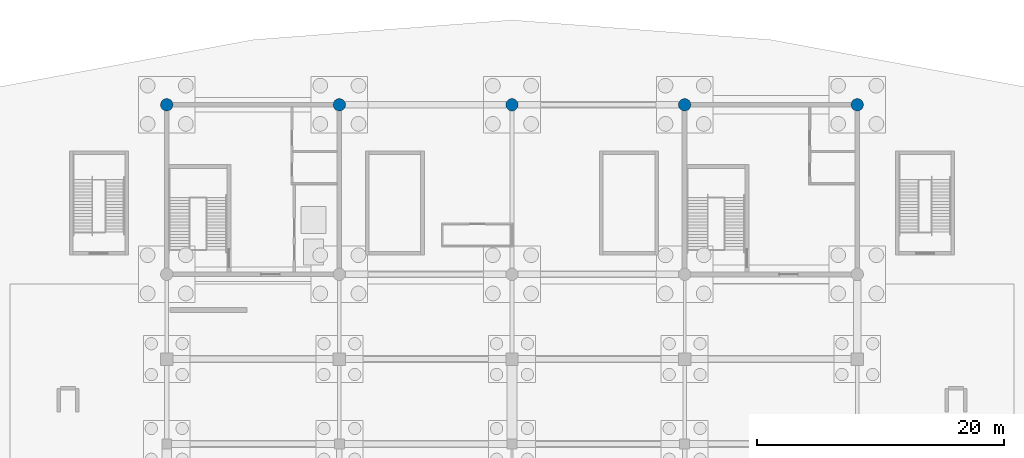
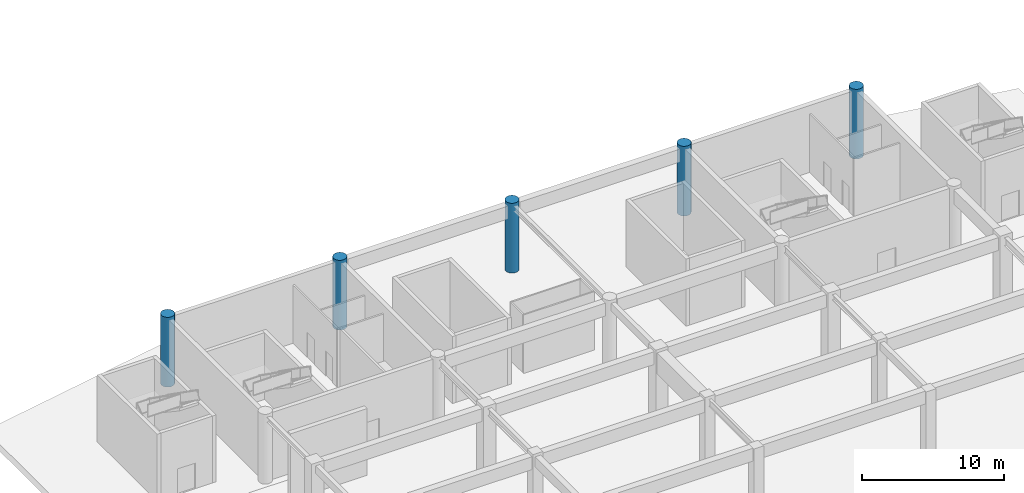
# One storey, part 26 of 62: 5 columns.
"""IFC4 building model written with IfcOpenShell, lengths in metres."""

from ifc_helpers import new_model, si_unit, direction, frame, origin, origin_2d, place, context, subcontext, project, spatial, circle, extrude, material, material_profile, profile_set, type_object, element, save


model = new_model("IFC4")

# Units and contexts
model_context = context("Model", 3, precision=1e-05, world=origin(), true_north=direction((0.0, 1.0)))
body_context = subcontext(model_context, "Body", "Model", "MODEL_VIEW")
ifc_project = project(units=[si_unit("LENGTHUNIT", "METRE"), si_unit("AREAUNIT", "SQUARE_METRE"), si_unit("VOLUMEUNIT", "CUBIC_METRE"), si_unit("PLANEANGLEUNIT", "RADIAN"), si_unit("MASSUNIT", "GRAM", prefix="KILO")], contexts=[model_context])

# Site, building, storey
site_placement = place(None, origin())
site = spatial("IfcSite", under=ifc_project, at=site_placement, CompositionType="ELEMENT")
building_placement = place(site_placement, origin())
building = spatial("IfcBuilding", under=site, at=building_placement, Name="Linyun Crest Stadium", CompositionType="ELEMENT")
storey_placement = place(building_placement, frame((0.0, 0.0, -6.0)))
storey = spatial("IfcBuildingStorey", under=building, at=storey_placement, Name="B1", CompositionType="ELEMENT", Elevation=-6.0)

# Columns
ifc_material = material(Name="Concrete C50", Category="concrete")
ifc_material_profile = material_profile(ifc_material, circle(Radius=0.5, at=origin_2d()), Name="RC D1000")
ifc_profile_set = profile_set([ifc_material_profile], Name="Concrete C50")
column_type = type_object("IfcColumnType", Name="C09", PredefinedType="COLUMN", material=ifc_profile_set)
for number, where, z_axis, x_axis, name in (
    (1, (-28.0, 105.25, 0.0), (0.0, 0.0, 1.0), (1.0, 0.0, 0.0), "Column C09 B1 584"),
    (2, (-14.0, 105.25, 0.0), (0.0, 0.0, 1.0), (1.0, 0.0, 0.0), "Column C09 B1 605"),
    (3, (0.0, 105.25, 0.0), (0.0, 0.0, 1.0), (1.0, 0.0, 0.0), "Column C09 B1 626"),
    (4, (14.0, 105.25, 0.0), (0.0, 0.0, 1.0), (1.0, 0.0, 0.0), "Column C09 B1 647"),
    (5, (28.0, 105.25, 0.0), (0.0, 0.0, 1.0), (1.0, 0.0, 0.0), "Column C09 B1 668"),
):
    element("IfcColumn", number, at=place(storey_placement, frame(where, z_axis=z_axis, x_axis=x_axis)), inside=storey, type_object=column_type, Name=name, PredefinedType="COLUMN", context=body_context, shape_type="SweptSolid", body=[
        extrude(circle(Radius=0.5, at=origin_2d()), origin(), (0.0, 0.0, 1.0), 5.998046875),
    ])

save(model, "model.ifc")
